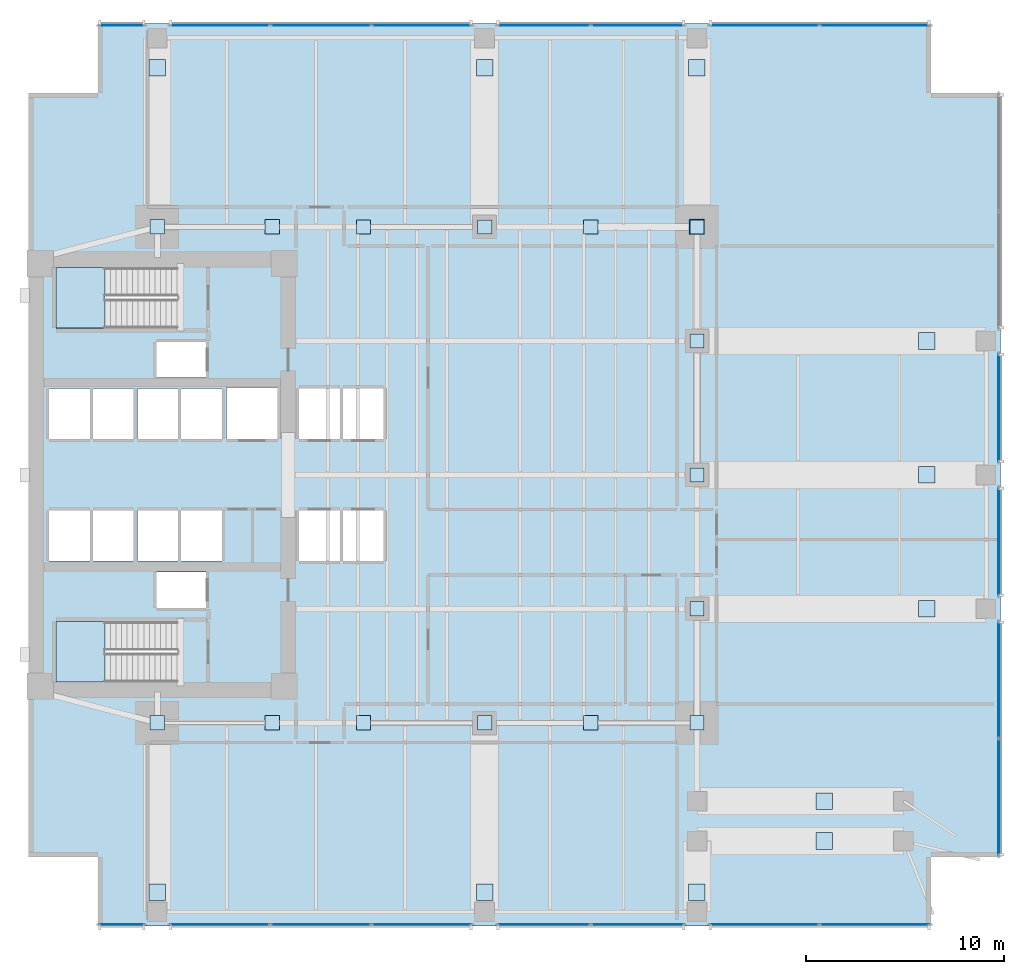
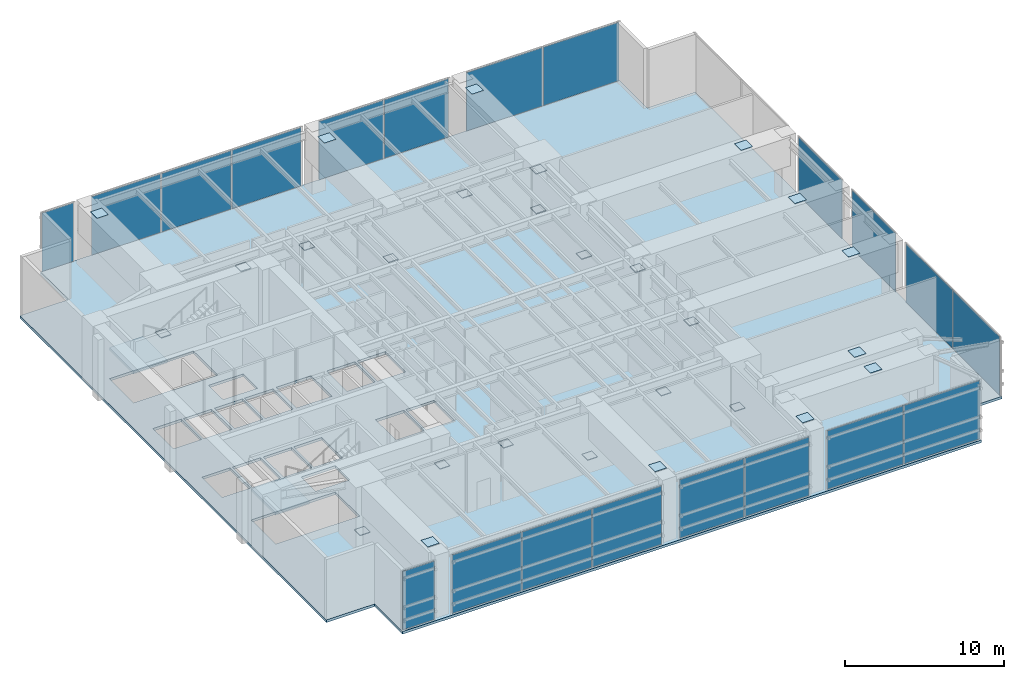
# One storey, part 7 of 14: 47 plates, 3 slabs, 13 elements without a shape of their own.
"""IFC4 building model written with IfcOpenShell, lengths in metres."""

import ifcopenshell
import ifcopenshell.guid

model = None  # the IFC model being written
_history = None  # IfcOwnerHistory: only IFC2X3 demands one
_inside = {}  # id of a spatial element -> (the spatial element, [elements in it])
_under = {}  # id of a project, library or spatial element -> (it, [spatial elements below it])
_declared = {}  # id of a project -> (the project, [libraries it declares])
_typed = {}  # id of a type object -> (the type object, [elements of that type])
_made_of = {}  # id of a material, layer set ... -> (it, [elements and type objects made of it])


def new_model(schema):
    """Start an empty IFC model of exactly this schema.

    Asked for "IFC4X3", IfcOpenShell would pick the latest addendum, in which some entities
    have other attributes; the version numbers below select the first issue.
    IFC2X3 requires an IfcOwnerHistory on every rooted entity: one is made here for all.
    """
    global model, _history
    if schema == "IFC4X3":
        model = ifcopenshell.file(schema_version=(4, 3, 0, 0))
    else:
        model = ifcopenshell.file(schema=schema)
    _inside.clear()
    _under.clear()
    _declared.clear()
    _typed.clear()
    _made_of.clear()
    _history = None
    if model.schema == "IFC2X3":
        org = make("IfcOrganization", Name="unknown")
        user = make(
            "IfcPersonAndOrganization",
            ThePerson=make("IfcPerson", FamilyName="unknown"),
            TheOrganization=org,
        )
        app = make(
            "IfcApplication",
            ApplicationDeveloper=org,
            Version="unknown",
            ApplicationFullName="unknown",
            ApplicationIdentifier="unknown",
        )
        _history = make(
            "IfcOwnerHistory",
            OwningUser=user,
            OwningApplication=app,
            ChangeAction="ADDED",
            CreationDate=0,
        )
    return model


def make(cls, **values):
    """One entity of the class cls with the attributes given. An attribute that is None is left unset."""
    return model.create_entity(
        cls, **{name: value for name, value in values.items() if value is not None}
    )


def rooted(cls, **values):
    """An entity with a GlobalId (a new one), such as an element, a storey or a relation."""
    return make(cls, GlobalId=ifcopenshell.guid.new(), OwnerHistory=_history, **values)


def si_unit(unit_type, name, prefix=None):
    """IfcSIUnit, for example si_unit("LENGTHUNIT", "METRE", prefix="MILLI")."""
    return make("IfcSIUnit", UnitType=unit_type, Prefix=prefix, Name=name)


def assignment(units):
    """IfcUnitAssignment: the units of a project."""
    return None if units is None else make("IfcUnitAssignment", Units=units)


def point(xyz):
    """IfcCartesianPoint."""
    return None if xyz is None else make("IfcCartesianPoint", Coordinates=xyz)


def direction(xyz):
    """IfcDirection."""
    return None if xyz is None else make("IfcDirection", DirectionRatios=xyz)


def frame(location, z_axis=None, x_axis=None):
    """IfcAxis2Placement3D, a coordinate frame: its origin and axes. An axis left out is left unset."""
    return make(
        "IfcAxis2Placement3D",
        Location=point(location),
        Axis=direction(z_axis),
        RefDirection=direction(x_axis),
    )


def frame_2d(location, x_axis=None):
    """IfcAxis2Placement2D, a coordinate frame in the plane: its origin and x axis."""
    return make(
        "IfcAxis2Placement2D", Location=point(location), RefDirection=direction(x_axis)
    )


def origin():
    """The frame at (0, 0, 0) with its axes left unset."""
    return frame((0.0, 0.0, 0.0))


def origin_2d():
    """The frame at (0, 0) in the plane with its x axis left unset."""
    return frame_2d((0.0, 0.0))


def place(relative_to, where):
    """IfcLocalPlacement: puts the frame where relative to a parent placement (None: the world)."""
    return make(
        "IfcLocalPlacement", PlacementRelTo=relative_to, RelativePlacement=where
    )


def context(
    kind, dimensions, precision=None, world=None, true_north=None, identifier=None
):
    """IfcGeometricRepresentationContext, for example the 3D "Model" context."""
    return make(
        "IfcGeometricRepresentationContext",
        ContextIdentifier=identifier,
        ContextType=kind,
        CoordinateSpaceDimension=dimensions,
        Precision=precision,
        WorldCoordinateSystem=world,
        TrueNorth=true_north,
    )


def subcontext(parent, identifier, kind, view, scale=None):
    """IfcGeometricRepresentationSubContext, for example "Body" below "Model"."""
    return make(
        "IfcGeometricRepresentationSubContext",
        ContextIdentifier=identifier,
        ContextType=kind,
        ParentContext=parent,
        TargetScale=scale,
        TargetView=view,
    )


def project(units=None, contexts=None):
    """IfcProject with its units and contexts."""
    return rooted(
        "IfcProject",
        Name="project",
        RepresentationContexts=contexts,
        UnitsInContext=assignment(units),
    )


def spatial(cls, under=None, at=None, **own):
    """A site, building, storey or space (cls), placed at a placement, below another one or the project."""
    s = rooted(cls, ObjectPlacement=at, **own)
    if under is not None:
        _under.setdefault(under.id(), (under, []))[1].append(s)
    return s


def polyline(points):
    """IfcPolyline through the points."""
    return make("IfcPolyline", Points=[point(p) for p in points])


def profile(cls, at=None, kind="AREA", **sizes):
    """A parametric profile (cls). Its sizes go by their IFC names, for example OverallWidth=200.0."""
    return make(cls, ProfileType=kind, Position=at, **sizes)


def rectangle(**sizes):
    """IfcRectangleProfileDef."""
    return profile("IfcRectangleProfileDef", **sizes)


def outline(outer, holes=None, kind="AREA"):
    """IfcArbitraryClosedProfileDef: a profile drawn as a closed curve; with holes, ...WithVoids."""
    if holes is None:
        return make("IfcArbitraryClosedProfileDef", ProfileType=kind, OuterCurve=outer)
    return make(
        "IfcArbitraryProfileDefWithVoids",
        ProfileType=kind,
        OuterCurve=outer,
        InnerCurves=holes,
    )


def extrude(swept, where, along, depth):
    """IfcExtrudedAreaSolid: the profile swept, set in the frame where, extruded along a direction by depth."""
    return make(
        "IfcExtrudedAreaSolid",
        SweptArea=swept,
        Position=where,
        ExtrudedDirection=direction(along),
        Depth=depth,
    )


def shape(context_of_items, identifier, shape_type, items):
    """IfcShapeRepresentation: the items that make up one representation, for example the "Body"."""
    return make(
        "IfcShapeRepresentation",
        ContextOfItems=context_of_items,
        RepresentationIdentifier=identifier,
        RepresentationType=shape_type,
        Items=items,
    )


def material(Name=None, Category=None):
    """IfcMaterial."""
    return make("IfcMaterial", Name=Name, Category=Category)


def layer(
    of_material, thickness, ventilated=None, Name=None, Category=None, Priority=None
):
    """IfcMaterialLayer: one layer of a wall or slab, of a material (None: an air gap)."""
    return make(
        "IfcMaterialLayer",
        Material=of_material,
        LayerThickness=thickness,
        IsVentilated=ventilated,
        Name=Name,
        Category=Category,
        Priority=Priority,
    )


def layer_set(layers, Name=None):
    """IfcMaterialLayerSet."""
    return make("IfcMaterialLayerSet", MaterialLayers=layers, LayerSetName=Name)


def made_of(thing, what):
    """Note that an element or type object is made of a material, layer set ...; save() writes the relation."""
    if what is not None:
        _made_of.setdefault(what.id(), (what, []))[1].append(thing)
    return thing


def type_object(cls, material=None, **own):
    """A type object (cls), such as IfcWallType, which elements share."""
    return made_of(rooted(cls, **own), material)


def element(
    cls,
    number,
    at=None,
    inside=None,
    cuts=None,
    type_object=None,
    material=None,
    context=None,
    identifier="Body",
    shape_type=None,
    held_by="IfcProductDefinitionShape",
    body=None,
    shapes=None,
    **own,
):
    """One element of the class cls, such as IfcWall. Its Tag is "e" and its number.

    at: its placement. inside: the storey or other place that contains it. cuts: it is an
    opening in that element (IfcRelVoidsElement). A single representation is given by context,
    identifier, shape_type and body (its items); several are given by shapes. held_by: the class
    of the entity that holds the representations. save() writes the other relations.
    """
    e = rooted(cls, Tag="e%d" % number, ObjectPlacement=at, **own)
    if body is not None:
        shapes = [shape(context, identifier, shape_type, body)]
    if shapes is not None:
        e.Representation = make(held_by, Representations=shapes)
    if inside is not None:
        _inside.setdefault(inside.id(), (inside, []))[1].append(e)
    if cuts is not None:
        rooted(
            "IfcRelVoidsElement", RelatingBuildingElement=cuts, RelatedOpeningElement=e
        )
    if type_object is not None:
        _typed.setdefault(type_object.id(), (type_object, []))[1].append(e)
    return made_of(e, material)


def aggregate(whole, parts):
    """IfcRelAggregates: a whole, such as a stair, and the parts it consists of."""
    return rooted("IfcRelAggregates", RelatingObject=whole, RelatedObjects=parts)


def save(model, path):
    """Write the relations noted so far, then the file.

    IfcRelAggregates (storeys below a building ...), IfcRelContainedInSpatialStructure (elements
    in a storey), IfcRelDefinesByType, IfcRelAssociatesMaterial and IfcRelDeclares: one each for
    every whole, place, type object, material and project.
    """
    for whole, parts in _under.values():
        aggregate(whole, parts)
    for where, things in _inside.values():
        rooted(
            "IfcRelContainedInSpatialStructure",
            RelatedElements=things,
            RelatingStructure=where,
        )
    for kind, things in _typed.values():
        rooted("IfcRelDefinesByType", RelatedObjects=things, RelatingType=kind)
    for what, things in _made_of.values():
        rooted("IfcRelAssociatesMaterial", RelatedObjects=things, RelatingMaterial=what)
    for by, libraries in _declared.values():
        rooted("IfcRelDeclares", RelatingContext=by, RelatedDefinitions=libraries)
    model.write(path)


model = new_model("IFC4")

# Units and contexts
model_context = context("Model", 3, precision=1e-05, world=origin(), true_north=direction((0.0, 1.0)))
body_context = subcontext(model_context, "Body", "Model", "MODEL_VIEW")
ifc_project = project(units=[si_unit("LENGTHUNIT", "METRE"), si_unit("AREAUNIT", "SQUARE_METRE"), si_unit("VOLUMEUNIT", "CUBIC_METRE"), si_unit("PLANEANGLEUNIT", "RADIAN"), si_unit("MASSUNIT", "GRAM", prefix="KILO")], contexts=[model_context])

# Site, building, storey
site_placement = place(None, origin())
site = spatial("IfcSite", under=ifc_project, at=site_placement, CompositionType="ELEMENT")
building_placement = place(site_placement, origin())
building = spatial("IfcBuilding", under=site, at=building_placement, Name="Kinhvarn Gate Tower", CompositionType="ELEMENT")
storey_placement = place(building_placement, frame((0.0, 0.0, 93.050048828125)))
storey = spatial("IfcBuildingStorey", under=building, at=storey_placement, Name="L24", CompositionType="ELEMENT", Elevation=93.050048828125)

# Curtain wall, plate
ifc_material_1 = material(Name="Anodised aluminium AW-6063", Category="aluminium")
ifc_layer_1 = layer(ifc_material_1, 0.179931640625)
ifc_layer_set_1 = layer_set([ifc_layer_1], Name="Anodised aluminium AW-6063")
curtain_wall_type = type_object("IfcCurtainWallType", Name="CW-SYS-2", PredefinedType="NOTDEFINED", material=ifc_layer_set_1)
curtain_wall_1_placement = place(storey_placement, origin())
curtain_wall_1 = element("IfcCurtainWall", 1, at=curtain_wall_1_placement, inside=storey, type_object=curtain_wall_type, Name="Curtain Wall CW2 (L24)", PredefinedType="NOTDEFINED")
ifc_material_2 = material(Name="Fired architectural terracotta", Category="masonry")
ifc_layer_2 = layer(ifc_material_2, 0.0400390625)
ifc_layer_set_2 = layer_set([ifc_layer_2], Name="Fired architectural terracotta")
plate_type_1 = type_object("IfcPlateType", Name="CW-PNL-TER", PredefinedType="CURTAIN_PANEL", material=ifc_layer_set_2)
plate_1_placement = place(storey_placement, frame((9.2099609375, 2.590087890625, 0.070068359375), z_axis=(0.0, 0.0, 1.0), x_axis=(1.0, 0.0, 0.0)))
plate_1 = element("IfcPlate", 2, at=plate_1_placement, type_object=plate_type_1, Name="CW2 panel 1.1", PredefinedType="CURTAIN_PANEL", context=body_context, shape_type="SweptSolid", body=[
    extrude(rectangle(XDim=2.280029296875, YDim=0.0400390625, at=origin_2d()), origin(), (0.0, 0.0, 1.0), 4.47998046875),
])
aggregate(curtain_wall_1, [plate_1])

# Curtain wall, plates
curtain_wall_2_placement = place(storey_placement, origin())
curtain_wall_2 = element("IfcCurtainWall", 3, at=curtain_wall_2_placement, inside=storey, type_object=curtain_wall_type, Name="Curtain Wall CW2 (L24)", PredefinedType="NOTDEFINED")
plate_2_placement = place(storey_placement, frame((14.154052734375, 2.590087890625, 0.070068359375), z_axis=(0.0, 0.0, 1.0), x_axis=(1.0, 0.0, 0.0)))
plate_2 = element("IfcPlate", 4, at=plate_2_placement, type_object=plate_type_1, Name="CW2 panel 1.1", PredefinedType="CURTAIN_PANEL", context=body_context, shape_type="SweptSolid", body=[
    extrude(rectangle(XDim=5.00830078125, YDim=0.0400390625, at=origin_2d()), origin(), (0.0, 0.0, 1.0), 4.47998046875),
])
plate_3_placement = place(storey_placement, frame((19.25, 2.590087890625, 0.070068359375), z_axis=(0.0, 0.0, 1.0), x_axis=(1.0, 0.0, 0.0)))
plate_3 = element("IfcPlate", 5, at=plate_3_placement, type_object=plate_type_1, Name="CW2 panel 2.1", PredefinedType="CURTAIN_PANEL", context=body_context, shape_type="SweptSolid", body=[
    extrude(rectangle(XDim=5.043212890625, YDim=0.0400390625, at=origin_2d()), origin(), (0.0, 0.0, 1.0), 4.47998046875),
])
plate_4_placement = place(storey_placement, frame((24.345947265625, 2.590087890625, 0.070068359375), z_axis=(0.0, 0.0, 1.0), x_axis=(1.0, 0.0, 0.0)))
plate_4 = element("IfcPlate", 6, at=plate_4_placement, type_object=plate_type_1, Name="CW2 panel 3.1", PredefinedType="CURTAIN_PANEL", context=body_context, shape_type="SweptSolid", body=[
    extrude(rectangle(XDim=5.00830078125, YDim=0.0400390625, at=origin_2d()), origin(), (0.0, 0.0, 1.0), 4.47998046875),
])
aggregate(curtain_wall_2, [plate_2, plate_3, plate_4])

curtain_wall_3_placement = place(storey_placement, origin())
curtain_wall_3 = element("IfcCurtainWall", 7, at=curtain_wall_3_placement, inside=storey, type_object=curtain_wall_type, Name="Curtain Wall CW2 (L24)", PredefinedType="NOTDEFINED")
plate_5_placement = place(storey_placement, frame((30.482421875, 2.590087890625, 0.070068359375), z_axis=(0.0, 0.0, 1.0), x_axis=(1.0, 0.0, 0.0)))
plate_5 = element("IfcPlate", 8, at=plate_5_placement, type_object=plate_type_1, Name="CW2 panel 1.1", PredefinedType="CURTAIN_PANEL", context=body_context, shape_type="SweptSolid", body=[
    extrude(rectangle(XDim=4.6650390625, YDim=0.0400390625, at=origin_2d()), origin(), (0.0, 0.0, 1.0), 4.47998046875),
])
plate_6_placement = place(storey_placement, frame((35.217529296875, 2.590087890625, 0.070068359375), z_axis=(0.0, 0.0, 1.0), x_axis=(1.0, 0.0, 0.0)))
plate_6 = element("IfcPlate", 9, at=plate_6_placement, type_object=plate_type_1, Name="CW2 panel 2.1", PredefinedType="CURTAIN_PANEL", context=body_context, shape_type="SweptSolid", body=[
    extrude(rectangle(XDim=4.6650390625, YDim=0.0400390625, at=origin_2d()), origin(), (0.0, 0.0, 1.0), 4.47998046875),
])
aggregate(curtain_wall_3, [plate_5, plate_6])

curtain_wall_4_placement = place(storey_placement, origin())
curtain_wall_4 = element("IfcCurtainWall", 10, at=curtain_wall_4_placement, inside=storey, type_object=curtain_wall_type, Name="Curtain Wall CW2 (L24)", PredefinedType="NOTDEFINED")
plate_7_placement = place(storey_placement, frame((41.6025390625, 2.590087890625, 0.070068359375), z_axis=(0.0, 0.0, 1.0), x_axis=(1.0, 0.0, 0.0)))
plate_7 = element("IfcPlate", 11, at=plate_7_placement, type_object=plate_type_1, Name="CW2 panel 1.1", PredefinedType="CURTAIN_PANEL", context=body_context, shape_type="SweptSolid", body=[
    extrude(rectangle(XDim=5.5048828125, YDim=0.0400390625, at=origin_2d()), origin(), (0.0, 0.0, 1.0), 4.47998046875),
])
plate_8_placement = place(storey_placement, frame((47.177490234375, 2.590087890625, 0.070068359375), z_axis=(0.0, 0.0, 1.0), x_axis=(1.0, 0.0, 0.0)))
plate_8 = element("IfcPlate", 12, at=plate_8_placement, type_object=plate_type_1, Name="CW2 panel 2.1", PredefinedType="CURTAIN_PANEL", context=body_context, shape_type="SweptSolid", body=[
    extrude(rectangle(XDim=5.5048828125, YDim=0.0400390625, at=origin_2d()), origin(), (0.0, 0.0, 1.0), 4.47998046875),
])
aggregate(curtain_wall_4, [plate_7, plate_8])

curtain_wall_5_placement = place(storey_placement, origin())
curtain_wall_5 = element("IfcCurtainWall", 13, at=curtain_wall_5_placement, inside=storey, type_object=curtain_wall_type, Name="Curtain Wall CW2 (L24)", PredefinedType="NOTDEFINED")
plate_9_placement = place(storey_placement, frame((47.177490234375, 47.909912109375, 0.070068359375), z_axis=(0.0, 0.0, 1.0), x_axis=(-1.0, 0.0, 0.0)))
plate_9 = element("IfcPlate", 14, at=plate_9_placement, type_object=plate_type_1, Name="CW2 panel 1.1", PredefinedType="CURTAIN_PANEL", context=body_context, shape_type="SweptSolid", body=[
    extrude(rectangle(XDim=5.5048828125, YDim=0.0400390625, at=origin_2d()), origin(), (0.0, 0.0, 1.0), 4.47998046875),
])
plate_10_placement = place(storey_placement, frame((41.6025390625, 47.909912109375, 0.070068359375), z_axis=(0.0, 0.0, 1.0), x_axis=(-1.0, 0.0, 0.0)))
plate_10 = element("IfcPlate", 15, at=plate_10_placement, type_object=plate_type_1, Name="CW2 panel 2.1", PredefinedType="CURTAIN_PANEL", context=body_context, shape_type="SweptSolid", body=[
    extrude(rectangle(XDim=5.5048828125, YDim=0.0400390625, at=origin_2d()), origin(), (0.0, 0.0, 1.0), 4.47998046875),
])
aggregate(curtain_wall_5, [plate_9, plate_10])

curtain_wall_6_placement = place(storey_placement, origin())
curtain_wall_6 = element("IfcCurtainWall", 16, at=curtain_wall_6_placement, inside=storey, type_object=curtain_wall_type, Name="Curtain Wall CW2 (L24)", PredefinedType="NOTDEFINED")
plate_11_placement = place(storey_placement, frame((35.217529296875, 47.909912109375, 0.070068359375), z_axis=(0.0, 0.0, 1.0), x_axis=(-1.0, 0.0, 0.0)))
plate_11 = element("IfcPlate", 17, at=plate_11_placement, type_object=plate_type_1, Name="CW2 panel 1.1", PredefinedType="CURTAIN_PANEL", context=body_context, shape_type="SweptSolid", body=[
    extrude(rectangle(XDim=4.6650390625, YDim=0.0400390625, at=origin_2d()), origin(), (0.0, 0.0, 1.0), 4.47998046875),
])
plate_12_placement = place(storey_placement, frame((30.482421875, 47.909912109375, 0.070068359375), z_axis=(0.0, 0.0, 1.0), x_axis=(-1.0, 0.0, 0.0)))
plate_12 = element("IfcPlate", 18, at=plate_12_placement, type_object=plate_type_1, Name="CW2 panel 2.1", PredefinedType="CURTAIN_PANEL", context=body_context, shape_type="SweptSolid", body=[
    extrude(rectangle(XDim=4.6650390625, YDim=0.0400390625, at=origin_2d()), origin(), (0.0, 0.0, 1.0), 4.47998046875),
])
aggregate(curtain_wall_6, [plate_11, plate_12])

curtain_wall_7_placement = place(storey_placement, origin())
curtain_wall_7 = element("IfcCurtainWall", 19, at=curtain_wall_7_placement, inside=storey, type_object=curtain_wall_type, Name="Curtain Wall CW2 (L24)", PredefinedType="NOTDEFINED")
plate_13_placement = place(storey_placement, frame((24.345947265625, 47.909912109375, 0.070068359375), z_axis=(0.0, 0.0, 1.0), x_axis=(-1.0, 0.0, 0.0)))
plate_13 = element("IfcPlate", 20, at=plate_13_placement, type_object=plate_type_1, Name="CW2 panel 1.1", PredefinedType="CURTAIN_PANEL", context=body_context, shape_type="SweptSolid", body=[
    extrude(rectangle(XDim=5.00830078125, YDim=0.0400390625, at=origin_2d()), origin(), (0.0, 0.0, 1.0), 4.47998046875),
])
plate_14_placement = place(storey_placement, frame((19.25, 47.909912109375, 0.070068359375), z_axis=(0.0, 0.0, 1.0), x_axis=(-1.0, 0.0, 0.0)))
plate_14 = element("IfcPlate", 21, at=plate_14_placement, type_object=plate_type_1, Name="CW2 panel 2.1", PredefinedType="CURTAIN_PANEL", context=body_context, shape_type="SweptSolid", body=[
    extrude(rectangle(XDim=5.043212890625, YDim=0.0400390625, at=origin_2d()), origin(), (0.0, 0.0, 1.0), 4.47998046875),
])
plate_15_placement = place(storey_placement, frame((14.154052734375, 47.909912109375, 0.070068359375), z_axis=(0.0, 0.0, 1.0), x_axis=(-1.0, 0.0, 0.0)))
plate_15 = element("IfcPlate", 22, at=plate_15_placement, type_object=plate_type_1, Name="CW2 panel 3.1", PredefinedType="CURTAIN_PANEL", context=body_context, shape_type="SweptSolid", body=[
    extrude(rectangle(XDim=5.00830078125, YDim=0.0400390625, at=origin_2d()), origin(), (0.0, 0.0, 1.0), 4.47998046875),
])
aggregate(curtain_wall_7, [plate_13, plate_14, plate_15])

# Curtain wall, plate
curtain_wall_8_placement = place(storey_placement, origin())
curtain_wall_8 = element("IfcCurtainWall", 23, at=curtain_wall_8_placement, inside=storey, type_object=curtain_wall_type, Name="Curtain Wall CW2 (L24)", PredefinedType="NOTDEFINED")
plate_16_placement = place(storey_placement, frame((9.2099609375, 47.909912109375, 0.070068359375), z_axis=(0.0, 0.0, 1.0), x_axis=(-1.0, 0.0, 0.0)))
plate_16 = element("IfcPlate", 24, at=plate_16_placement, type_object=plate_type_1, Name="CW2 panel 1.1", PredefinedType="CURTAIN_PANEL", context=body_context, shape_type="SweptSolid", body=[
    extrude(rectangle(XDim=2.280029296875, YDim=0.0400390625, at=origin_2d()), origin(), (0.0, 0.0, 1.0), 4.47998046875),
])
aggregate(curtain_wall_8, [plate_16])

# Curtain wall, plates
curtain_wall_9_placement = place(storey_placement, origin())
curtain_wall_9 = element("IfcCurtainWall", 25, at=curtain_wall_9_placement, inside=storey, type_object=curtain_wall_type, Name="Curtain Wall CW2 (L24)", PredefinedType="NOTDEFINED")
plate_17_placement = place(storey_placement, frame((53.409912109375, 8.99755859375, 0.070068359375), z_axis=(0.0, 0.0, 1.0), x_axis=(0.0, 1.0, 0.0)))
plate_17 = element("IfcPlate", 26, at=plate_17_placement, type_object=plate_type_1, Name="CW2 panel 1.1", PredefinedType="CURTAIN_PANEL", context=body_context, shape_type="SweptSolid", body=[
    extrude(rectangle(XDim=5.85498046875, YDim=0.0400390625, at=origin_2d()), origin(), (0.0, 0.0, 1.0), 4.47998046875),
])
plate_18_placement = place(storey_placement, frame((53.409912109375, 14.922607421875, 0.070068359375), z_axis=(0.0, 0.0, 1.0), x_axis=(0.0, 1.0, 0.0)))
plate_18 = element("IfcPlate", 27, at=plate_18_placement, type_object=plate_type_1, Name="CW2 panel 2.1", PredefinedType="CURTAIN_PANEL", context=body_context, shape_type="SweptSolid", body=[
    extrude(rectangle(XDim=5.85498046875, YDim=0.0400390625, at=origin_2d()), origin(), (0.0, 0.0, 1.0), 4.47998046875),
])
aggregate(curtain_wall_9, [plate_17, plate_18])

# Curtain wall, plate
curtain_wall_10_placement = place(storey_placement, origin())
curtain_wall_10 = element("IfcCurtainWall", 28, at=curtain_wall_10_placement, inside=storey, type_object=curtain_wall_type, Name="Curtain Wall CW2 (L24)", PredefinedType="NOTDEFINED")
plate_19_placement = place(storey_placement, frame((53.409912109375, 21.875, 0.070068359375), z_axis=(0.0, 0.0, 1.0), x_axis=(0.0, 1.0, 0.0)))
plate_19 = element("IfcPlate", 29, at=plate_19_placement, type_object=plate_type_1, Name="CW2 panel 1.1", PredefinedType="CURTAIN_PANEL", context=body_context, shape_type="SweptSolid", body=[
    extrude(rectangle(XDim=5.449951171875, YDim=0.0400390625, at=origin_2d()), origin(), (0.0, 0.0, 1.0), 4.47998046875),
])
aggregate(curtain_wall_10, [plate_19])

curtain_wall_11_placement = place(storey_placement, origin())
curtain_wall_11 = element("IfcCurtainWall", 30, at=curtain_wall_11_placement, inside=storey, type_object=curtain_wall_type, Name="Curtain Wall CW2 (L24)", PredefinedType="NOTDEFINED")
plate_20_placement = place(storey_placement, frame((53.409912109375, 28.625, 0.070068359375), z_axis=(0.0, 0.0, 1.0), x_axis=(0.0, 1.0, 0.0)))
plate_20 = element("IfcPlate", 31, at=plate_20_placement, type_object=plate_type_1, Name="CW2 panel 1.1", PredefinedType="CURTAIN_PANEL", context=body_context, shape_type="SweptSolid", body=[
    extrude(rectangle(XDim=5.449951171875, YDim=0.0400390625, at=origin_2d()), origin(), (0.0, 0.0, 1.0), 4.47998046875),
])
aggregate(curtain_wall_11, [plate_20])

# Plates
ifc_material_3 = material(Name="Steel S355", Category="steel")
ifc_layer_3 = layer(ifc_material_3, 0.028076171875)
ifc_layer_set_3 = layer_set([ifc_layer_3], Name="Steel S355")
plate_type_2 = type_object("IfcPlateType", Name="PLT-NODE-KN1", PredefinedType="USERDEFINED", material=ifc_layer_set_3)
plate_21_placement = place(storey_placement, frame((0.0, 0.0, 3.505859375)))
element("IfcPlate", 32, at=plate_21_placement, inside=storey, type_object=plate_type_2, Name="Structural Node Cap Plate KN1", ObjectType="GUSSET_PLATE", PredefinedType="USERDEFINED", context=body_context, shape_type="SweptSolid", body=[
    extrude(outline(polyline([(16.43994140625, 12.389892578125), (17.159912109375, 12.389892578125), (17.159912109375, 13.110107421875), (16.43994140625, 13.110107421875), (16.43994140625, 12.389892578125)])), origin(), (0.0, 0.0, 1.0), 0.028076171875),
])
plate_22_placement = place(storey_placement, frame((0.0, 0.0, 3.505859375)))
element("IfcPlate", 33, at=plate_22_placement, inside=storey, type_object=plate_type_2, Name="Structural Node Cap Plate KN1", ObjectType="GUSSET_PLATE", PredefinedType="USERDEFINED", context=body_context, shape_type="SweptSolid", body=[
    extrude(outline(polyline([(21.0400390625, 12.389892578125), (21.760009765625, 12.389892578125), (21.760009765625, 13.110107421875), (21.0400390625, 13.110107421875), (21.0400390625, 12.389892578125)])), origin(), (0.0, 0.0, 1.0), 0.028076171875),
])
plate_23_placement = place(storey_placement, frame((0.0, 0.0, 0.43603515625)))
element("IfcPlate", 34, at=plate_23_placement, inside=storey, type_object=plate_type_2, Name="Structural Node Cap Plate KN1", ObjectType="GUSSET_PLATE", PredefinedType="USERDEFINED", context=body_context, shape_type="SweptSolid", body=[
    extrude(outline(polyline([(27.139892578125, 12.389892578125), (27.860107421875, 12.389892578125), (27.860107421875, 13.110107421875), (27.139892578125, 13.110107421875), (27.139892578125, 12.389892578125)])), origin(), (0.0, 0.0, 1.0), 0.02783203125),
])
plate_24_placement = place(storey_placement, frame((0.0, 0.0, 3.505859375)))
element("IfcPlate", 35, at=plate_24_placement, inside=storey, type_object=plate_type_2, Name="Structural Node Cap Plate KN1", ObjectType="GUSSET_PLATE", PredefinedType="USERDEFINED", context=body_context, shape_type="SweptSolid", body=[
    extrude(outline(polyline([(32.489990234375, 12.389892578125), (33.2099609375, 12.389892578125), (33.2099609375, 13.110107421875), (32.489990234375, 13.110107421875), (32.489990234375, 12.389892578125)])), origin(), (0.0, 0.0, 1.0), 0.028076171875),
])
plate_25_placement = place(storey_placement, frame((0.0, 0.0, 3.505859375)))
element("IfcPlate", 36, at=plate_25_placement, inside=storey, type_object=plate_type_2, Name="Structural Node Cap Plate KN1", ObjectType="GUSSET_PLATE", PredefinedType="USERDEFINED", context=body_context, shape_type="SweptSolid", body=[
    extrude(outline(polyline([(16.43505859375, 37.385009765625), (17.1650390625, 37.385009765625), (17.1650390625, 38.114990234375), (16.43505859375, 38.114990234375), (16.43505859375, 37.385009765625)])), origin(), (0.0, 0.0, 1.0), 0.028076171875),
])
plate_26_placement = place(storey_placement, frame((0.0, 0.0, 3.505859375)))
element("IfcPlate", 37, at=plate_26_placement, inside=storey, type_object=plate_type_2, Name="Structural Node Cap Plate KN1", ObjectType="GUSSET_PLATE", PredefinedType="USERDEFINED", context=body_context, shape_type="SweptSolid", body=[
    extrude(outline(polyline([(21.0400390625, 37.389892578125), (21.760009765625, 37.389892578125), (21.760009765625, 38.110107421875), (21.0400390625, 38.110107421875), (21.0400390625, 37.389892578125)])), origin(), (0.0, 0.0, 1.0), 0.028076171875),
])
plate_27_placement = place(storey_placement, frame((0.0, 0.0, 0.43603515625)))
element("IfcPlate", 38, at=plate_27_placement, inside=storey, type_object=plate_type_2, Name="Structural Node Cap Plate KN1", ObjectType="GUSSET_PLATE", PredefinedType="USERDEFINED", context=body_context, shape_type="SweptSolid", body=[
    extrude(outline(polyline([(27.139892578125, 37.389892578125), (27.860107421875, 37.389892578125), (27.860107421875, 38.110107421875), (27.139892578125, 38.110107421875), (27.139892578125, 37.389892578125)])), origin(), (0.0, 0.0, 1.0), 0.02783203125),
])
plate_28_placement = place(storey_placement, frame((0.0, 0.0, 3.505859375)))
element("IfcPlate", 39, at=plate_28_placement, inside=storey, type_object=plate_type_2, Name="Structural Node Cap Plate KN1", ObjectType="GUSSET_PLATE", PredefinedType="USERDEFINED", context=body_context, shape_type="SweptSolid", body=[
    extrude(outline(polyline([(32.489990234375, 37.389892578125), (33.2099609375, 37.389892578125), (33.2099609375, 38.110107421875), (32.489990234375, 38.110107421875), (32.489990234375, 37.389892578125)])), origin(), (0.0, 0.0, 1.0), 0.028076171875),
])
plate_29_placement = place(storey_placement, frame((0.0, 0.0, 3.505859375)))
element("IfcPlate", 40, at=plate_29_placement, inside=storey, type_object=plate_type_2, Name="Structural Node Cap Plate KN1", ObjectType="GUSSET_PLATE", PredefinedType="USERDEFINED", context=body_context, shape_type="SweptSolid", body=[
    extrude(outline(polyline([(37.840087890625, 18.139892578125), (38.56005859375, 18.139892578125), (38.56005859375, 18.860107421875), (37.840087890625, 18.860107421875), (37.840087890625, 18.139892578125)])), origin(), (0.0, 0.0, 1.0), 0.028076171875),
])
plate_30_placement = place(storey_placement, frame((0.0, 0.0, 3.505859375)))
element("IfcPlate", 41, at=plate_30_placement, inside=storey, type_object=plate_type_2, Name="Structural Node Cap Plate KN1", ObjectType="GUSSET_PLATE", PredefinedType="USERDEFINED", context=body_context, shape_type="SweptSolid", body=[
    extrude(outline(polyline([(37.840087890625, 24.889892578125), (38.56005859375, 24.889892578125), (38.56005859375, 25.610107421875), (37.840087890625, 25.610107421875), (37.840087890625, 24.889892578125)])), origin(), (0.0, 0.0, 1.0), 0.028076171875),
])
plate_31_placement = place(storey_placement, frame((0.0, 0.0, 0.43603515625)))
element("IfcPlate", 42, at=plate_31_placement, inside=storey, type_object=plate_type_2, Name="Structural Node Cap Plate KN1", ObjectType="GUSSET_PLATE", PredefinedType="USERDEFINED", context=body_context, shape_type="SweptSolid", body=[
    extrude(outline(polyline([(37.840087890625, 31.639892578125), (38.56005859375, 31.639892578125), (38.56005859375, 32.360107421875), (37.840087890625, 32.360107421875), (37.840087890625, 31.639892578125)])), origin(), (0.0, 0.0, 1.0), 0.02783203125),
])
plate_32_placement = place(storey_placement, frame((0.0, 0.0, 3.505859375)))
element("IfcPlate", 43, at=plate_32_placement, inside=storey, type_object=plate_type_2, Name="Structural Node Cap Plate KN1", ObjectType="GUSSET_PLATE", PredefinedType="USERDEFINED", context=body_context, shape_type="SweptSolid", body=[
    extrude(outline(polyline([(37.81005859375, 37.360107421875), (38.590087890625, 37.360107421875), (38.590087890625, 38.139892578125), (37.81005859375, 38.139892578125), (37.81005859375, 37.360107421875)])), origin(), (0.0, 0.0, 1.0), 0.028076171875),
])
ifc_layer_4 = layer(ifc_material_3, 0.031982421875)
ifc_layer_set_4 = layer_set([ifc_layer_4], Name="Steel S355")
plate_type_3 = type_object("IfcPlateType", Name="PLT-NODE-ON1", PredefinedType="USERDEFINED", material=ifc_layer_set_4)
plate_33_placement = place(storey_placement, frame((0.0, 0.0, 0.433837890625)))
element("IfcPlate", 44, at=plate_33_placement, inside=storey, type_object=plate_type_3, Name="Structural Node Cap Plate ON1", ObjectType="GUSSET_PLATE", PredefinedType="USERDEFINED", context=body_context, shape_type="SweptSolid", body=[
    extrude(outline(polyline([(10.639892578125, 12.389892578125), (11.360107421875, 12.389892578125), (11.360107421875, 13.110107421875), (10.639892578125, 13.110107421875), (10.639892578125, 12.389892578125)])), origin(), (0.0, 0.0, 1.0), 0.0322265625),
])
plate_34_placement = place(storey_placement, frame((0.0, 0.0, 0.433837890625)))
element("IfcPlate", 45, at=plate_34_placement, inside=storey, type_object=plate_type_3, Name="Structural Node Cap Plate ON1", ObjectType="GUSSET_PLATE", PredefinedType="USERDEFINED", context=body_context, shape_type="SweptSolid", body=[
    extrude(outline(polyline([(10.635009765625, 37.385009765625), (11.364990234375, 37.385009765625), (11.364990234375, 38.114990234375), (10.635009765625, 38.114990234375), (10.635009765625, 37.385009765625)])), origin(), (0.0, 0.0, 1.0), 0.0322265625),
])
ifc_layer_5 = layer(ifc_material_3, 0.033935546875)
ifc_layer_set_5 = layer_set([ifc_layer_5], Name="Steel S355")
plate_type_4 = type_object("IfcPlateType", Name="PLT-NODE-ON2", PredefinedType="USERDEFINED", material=ifc_layer_set_5)
plate_35_placement = place(storey_placement, frame((0.0, 0.0, 0.432861328125)))
element("IfcPlate", 46, at=plate_35_placement, inside=storey, type_object=plate_type_4, Name="Structural Node Cap Plate ON2", ObjectType="GUSSET_PLATE", PredefinedType="USERDEFINED", context=body_context, shape_type="SweptSolid", body=[
    extrude(outline(polyline([(37.840087890625, 12.389892578125), (38.56005859375, 12.389892578125), (38.56005859375, 13.110107421875), (37.840087890625, 13.110107421875), (37.840087890625, 12.389892578125)])), origin(), (0.0, 0.0, 1.0), 0.0341796875),
])
plate_36_placement = place(storey_placement, frame((0.0, 0.0, 0.432861328125)))
element("IfcPlate", 47, at=plate_36_placement, inside=storey, type_object=plate_type_4, Name="Structural Node Cap Plate ON2", ObjectType="GUSSET_PLATE", PredefinedType="USERDEFINED", context=body_context, shape_type="SweptSolid", body=[
    extrude(outline(polyline([(37.840087890625, 37.389892578125), (38.56005859375, 37.389892578125), (38.56005859375, 38.110107421875), (37.840087890625, 38.110107421875), (37.840087890625, 37.389892578125)])), origin(), (0.0, 0.0, 1.0), 0.0341796875),
])
ifc_layer_6 = layer(ifc_material_3, 0.028076171875)
ifc_layer_set_6 = layer_set([ifc_layer_6], Name="Steel S355")
plate_type_5 = type_object("IfcPlateType", Name="PLT-NODE-TN1", PredefinedType="USERDEFINED", material=ifc_layer_set_6)
plate_37_placement = place(storey_placement, frame((0.0, 0.0, 4.77587890625)))
element("IfcPlate", 48, at=plate_37_placement, inside=storey, type_object=plate_type_5, Name="Structural Node Cap Plate TN1", ObjectType="GUSSET_PLATE", PredefinedType="USERDEFINED", context=body_context, shape_type="SweptSolid", body=[
    extrude(outline(polyline([(44.199951171875, 6.3798828125), (45.0400390625, 6.3798828125), (45.0400390625, 7.219970703125), (44.199951171875, 7.219970703125), (44.199951171875, 6.3798828125)])), origin(), (0.0, 0.0, 1.0), 0.028076171875),
])
plate_38_placement = place(storey_placement, frame((0.0, 0.0, 4.77587890625)))
element("IfcPlate", 49, at=plate_38_placement, inside=storey, type_object=plate_type_5, Name="Structural Node Cap Plate TN1", ObjectType="GUSSET_PLATE", PredefinedType="USERDEFINED", context=body_context, shape_type="SweptSolid", body=[
    extrude(outline(polyline([(44.199951171875, 8.3798828125), (45.0400390625, 8.3798828125), (45.0400390625, 9.219970703125), (44.199951171875, 9.219970703125), (44.199951171875, 8.3798828125)])), origin(), (0.0, 0.0, 1.0), 0.028076171875),
])
plate_39_placement = place(storey_placement, frame((0.0, 0.0, 4.77587890625)))
element("IfcPlate", 50, at=plate_39_placement, inside=storey, type_object=plate_type_5, Name="Structural Node Cap Plate TN1", ObjectType="GUSSET_PLATE", PredefinedType="USERDEFINED", context=body_context, shape_type="SweptSolid", body=[
    extrude(outline(polyline([(49.360107421875, 18.080078125), (50.199951171875, 18.080078125), (50.199951171875, 18.919921875), (49.360107421875, 18.919921875), (49.360107421875, 18.080078125)])), origin(), (0.0, 0.0, 1.0), 0.028076171875),
])
plate_40_placement = place(storey_placement, frame((0.0, 0.0, 4.77587890625)))
element("IfcPlate", 51, at=plate_40_placement, inside=storey, type_object=plate_type_5, Name="Structural Node Cap Plate TN1", ObjectType="GUSSET_PLATE", PredefinedType="USERDEFINED", context=body_context, shape_type="SweptSolid", body=[
    extrude(outline(polyline([(49.360107421875, 24.830078125), (50.199951171875, 24.830078125), (50.199951171875, 25.669921875), (49.360107421875, 25.669921875), (49.360107421875, 24.830078125)])), origin(), (0.0, 0.0, 1.0), 0.028076171875),
])
plate_41_placement = place(storey_placement, frame((0.0, 0.0, 4.77587890625)))
element("IfcPlate", 52, at=plate_41_placement, inside=storey, type_object=plate_type_5, Name="Structural Node Cap Plate TN1", ObjectType="GUSSET_PLATE", PredefinedType="USERDEFINED", context=body_context, shape_type="SweptSolid", body=[
    extrude(outline(polyline([(49.360107421875, 31.580078125), (50.199951171875, 31.580078125), (50.199951171875, 32.419921875), (49.360107421875, 32.419921875), (49.360107421875, 31.580078125)])), origin(), (0.0, 0.0, 1.0), 0.028076171875),
])
plate_42_placement = place(storey_placement, frame((0.0, 0.0, 4.77587890625)))
element("IfcPlate", 53, at=plate_42_placement, inside=storey, type_object=plate_type_5, Name="Structural Node Cap Plate TN1", ObjectType="GUSSET_PLATE", PredefinedType="USERDEFINED", context=body_context, shape_type="SweptSolid", body=[
    extrude(outline(polyline([(10.580078125, 3.800048828125), (11.419921875, 3.800048828125), (11.419921875, 4.639892578125), (10.580078125, 4.639892578125), (10.580078125, 3.800048828125)])), origin(), (0.0, 0.0, 1.0), 0.028076171875),
])
plate_43_placement = place(storey_placement, frame((0.0, 0.0, 4.77587890625)))
element("IfcPlate", 54, at=plate_43_placement, inside=storey, type_object=plate_type_5, Name="Structural Node Cap Plate TN1", ObjectType="GUSSET_PLATE", PredefinedType="USERDEFINED", context=body_context, shape_type="SweptSolid", body=[
    extrude(outline(polyline([(27.080078125, 3.800048828125), (27.919921875, 3.800048828125), (27.919921875, 4.639892578125), (27.080078125, 4.639892578125), (27.080078125, 3.800048828125)])), origin(), (0.0, 0.0, 1.0), 0.028076171875),
])
plate_44_placement = place(storey_placement, frame((0.0, 0.0, 4.77587890625)))
element("IfcPlate", 55, at=plate_44_placement, inside=storey, type_object=plate_type_5, Name="Structural Node Cap Plate TN1", ObjectType="GUSSET_PLATE", PredefinedType="USERDEFINED", context=body_context, shape_type="SweptSolid", body=[
    extrude(outline(polyline([(37.780029296875, 3.800048828125), (38.6201171875, 3.800048828125), (38.6201171875, 4.639892578125), (37.780029296875, 4.639892578125), (37.780029296875, 3.800048828125)])), origin(), (0.0, 0.0, 1.0), 0.028076171875),
])
plate_45_placement = place(storey_placement, frame((0.0, 0.0, 4.77587890625)))
element("IfcPlate", 56, at=plate_45_placement, inside=storey, type_object=plate_type_5, Name="Structural Node Cap Plate TN1", ObjectType="GUSSET_PLATE", PredefinedType="USERDEFINED", context=body_context, shape_type="SweptSolid", body=[
    extrude(outline(polyline([(10.580078125, 45.360107421875), (11.419921875, 45.360107421875), (11.419921875, 46.199951171875), (10.580078125, 46.199951171875), (10.580078125, 45.360107421875)])), origin(), (0.0, 0.0, 1.0), 0.028076171875),
])
plate_46_placement = place(storey_placement, frame((0.0, 0.0, 4.77587890625)))
element("IfcPlate", 57, at=plate_46_placement, inside=storey, type_object=plate_type_5, Name="Structural Node Cap Plate TN1", ObjectType="GUSSET_PLATE", PredefinedType="USERDEFINED", context=body_context, shape_type="SweptSolid", body=[
    extrude(outline(polyline([(27.080078125, 45.360107421875), (27.919921875, 45.360107421875), (27.919921875, 46.199951171875), (27.080078125, 46.199951171875), (27.080078125, 45.360107421875)])), origin(), (0.0, 0.0, 1.0), 0.028076171875),
])
plate_47_placement = place(storey_placement, frame((0.0, 0.0, 4.77587890625)))
element("IfcPlate", 58, at=plate_47_placement, inside=storey, type_object=plate_type_5, Name="Structural Node Cap Plate TN1", ObjectType="GUSSET_PLATE", PredefinedType="USERDEFINED", context=body_context, shape_type="SweptSolid", body=[
    extrude(outline(polyline([(37.780029296875, 45.360107421875), (38.6201171875, 45.360107421875), (38.6201171875, 46.199951171875), (37.780029296875, 46.199951171875), (37.780029296875, 45.360107421875)])), origin(), (0.0, 0.0, 1.0), 0.028076171875),
])

# Slab
ifc_material_4 = material(Name="Concrete C50/60", Category="concrete")
ifc_layer_7 = layer(ifc_material_4, 0.199951171875)
ifc_layer_set_7 = layer_set([ifc_layer_7], Name="Concrete C50/60")
slab_type_1 = type_object("IfcSlabType", Name="SLB-REF-200", PredefinedType="FLOOR", material=ifc_layer_set_7)
slab_1_placement = place(storey_placement, frame((0.0, 0.0, -0.199951171875)))
element("IfcSlab", 59, at=slab_1_placement, inside=storey, type_object=slab_type_1, Name="Suspended Floor Slab L24", PredefinedType="FLOOR", context=body_context, shape_type="SweptSolid", body=[
    extrude(outline(polyline([(8.0, 2.5), (50.0, 2.5), (50.0, 6.0), (53.5, 6.0), (53.5, 44.5), (50.0, 44.5), (50.0, 48.0), (8.0, 48.0), (8.0, 44.5), (4.5, 44.5), (4.5, 6.0), (8.0, 6.0), (8.0, 2.5)]), holes=[polyline([(5.89990234375, 14.800048828125), (12.0, 14.800048828125), (12.0, 17.85009765625), (5.89990234375, 17.85009765625), (5.89990234375, 14.800048828125)]), polyline([(5.89990234375, 32.64990234375), (12.0, 32.64990234375), (12.0, 35.699951171875), (5.89990234375, 35.699951171875), (5.89990234375, 32.64990234375)]), polyline([(18.14990234375, 20.89990234375), (20.199951171875, 20.89990234375), (20.199951171875, 23.449951171875), (18.14990234375, 23.449951171875), (18.14990234375, 20.89990234375)]), polyline([(20.35009765625, 20.89990234375), (22.39990234375, 20.89990234375), (22.39990234375, 23.449951171875), (20.35009765625, 23.449951171875), (20.35009765625, 20.89990234375)]), polyline([(18.14990234375, 27.050048828125), (20.199951171875, 27.050048828125), (20.199951171875, 29.60009765625), (18.14990234375, 29.60009765625), (18.14990234375, 27.050048828125)]), polyline([(20.35009765625, 27.050048828125), (22.39990234375, 27.050048828125), (22.39990234375, 29.60009765625), (20.35009765625, 29.60009765625), (20.35009765625, 27.050048828125)]), polyline([(5.550048828125, 20.89990234375), (7.60009765625, 20.89990234375), (7.60009765625, 23.449951171875), (5.550048828125, 23.449951171875), (5.550048828125, 20.89990234375)]), polyline([(7.75, 20.89990234375), (9.800048828125, 20.89990234375), (9.800048828125, 23.449951171875), (7.75, 23.449951171875), (7.75, 20.89990234375)]), polyline([(5.550048828125, 27.050048828125), (7.60009765625, 27.050048828125), (7.60009765625, 29.60009765625), (5.550048828125, 29.60009765625), (5.550048828125, 27.050048828125)]), polyline([(7.75, 27.050048828125), (9.800048828125, 27.050048828125), (9.800048828125, 29.60009765625), (7.75, 29.60009765625), (7.75, 27.050048828125)]), polyline([(10.0, 20.89990234375), (12.050048828125, 20.89990234375), (12.050048828125, 23.449951171875), (10.0, 23.449951171875), (10.0, 20.89990234375)]), polyline([(12.199951171875, 20.89990234375), (14.25, 20.89990234375), (14.25, 23.449951171875), (12.199951171875, 23.449951171875), (12.199951171875, 20.89990234375)]), polyline([(10.0, 27.050048828125), (12.050048828125, 27.050048828125), (12.050048828125, 29.60009765625), (10.0, 29.60009765625), (10.0, 27.050048828125)]), polyline([(12.199951171875, 27.050048828125), (14.25, 27.050048828125), (14.25, 29.60009765625), (12.199951171875, 29.60009765625), (12.199951171875, 27.050048828125)]), polyline([(14.5, 27.050048828125), (17.050048828125, 27.050048828125), (17.050048828125, 29.64990234375), (14.5, 29.64990234375), (14.5, 27.050048828125)]), polyline([(10.949951171875, 18.550048828125), (13.449951171875, 18.550048828125), (13.449951171875, 20.35009765625), (10.949951171875, 20.35009765625), (10.949951171875, 18.550048828125)]), polyline([(10.949951171875, 30.14990234375), (13.449951171875, 30.14990234375), (13.449951171875, 31.949951171875), (10.949951171875, 31.949951171875), (10.949951171875, 30.14990234375)])]), origin(), (0.0, 0.0, 1.0), 0.199951171875),
])

# Stair, slab
ifc_material_5 = material(Name="Concrete C40/50", Category="concrete")
stair_type = type_object("IfcStairType", Name="STR-DLG-171", PredefinedType="HALF_TURN_STAIR", material=ifc_material_5)
stair_1_placement = place(storey_placement, origin())
stair_1 = element("IfcStair", 60, at=stair_1_placement, inside=storey, type_object=stair_type, Name="L24 Core Smokeproof Exit Stair ST1", PredefinedType="HALF_TURN_STAIR")
ifc_layer_8 = layer(ifc_material_5, 0.199951171875)
ifc_layer_set_8 = layer_set([ifc_layer_8], Name="Concrete C40/50")
slab_type_2 = type_object("IfcSlabType", Name="SLB-ST-LND", PredefinedType="LANDING", material=ifc_layer_set_8)
slab_2_placement = place(storey_placement, frame((0.0, 0.0, 2.199951171875)))
slab_2 = element("IfcSlab", 61, at=slab_2_placement, type_object=slab_type_2, Name="ST1 landing 1", PredefinedType="LANDING", context=body_context, shape_type="SweptSolid", body=[
    extrude(outline(polyline([(8.360107421875, 17.85009765625), (5.89990234375, 17.85009765625), (5.89990234375, 14.800048828125), (8.360107421875, 14.800048828125), (8.360107421875, 17.85009765625)])), origin(), (0.0, 0.0, 1.0), 0.199951171875),
])
aggregate(stair_1, [slab_2])

stair_2_placement = place(storey_placement, origin())
stair_2 = element("IfcStair", 62, at=stair_2_placement, inside=storey, type_object=stair_type, Name="L24 Core Smokeproof Exit Stair ST2", PredefinedType="HALF_TURN_STAIR")
slab_3_placement = place(storey_placement, frame((0.0, 0.0, 2.199951171875)))
slab_3 = element("IfcSlab", 63, at=slab_3_placement, type_object=slab_type_2, Name="ST2 landing 1", PredefinedType="LANDING", context=body_context, shape_type="SweptSolid", body=[
    extrude(outline(polyline([(8.360107421875, 35.699951171875), (5.89990234375, 35.699951171875), (5.89990234375, 32.64990234375), (8.360107421875, 32.64990234375), (8.360107421875, 35.699951171875)])), origin(), (0.0, 0.0, 1.0), 0.199951171875),
])
aggregate(stair_2, [slab_3])

save(model, "model.ifc")
